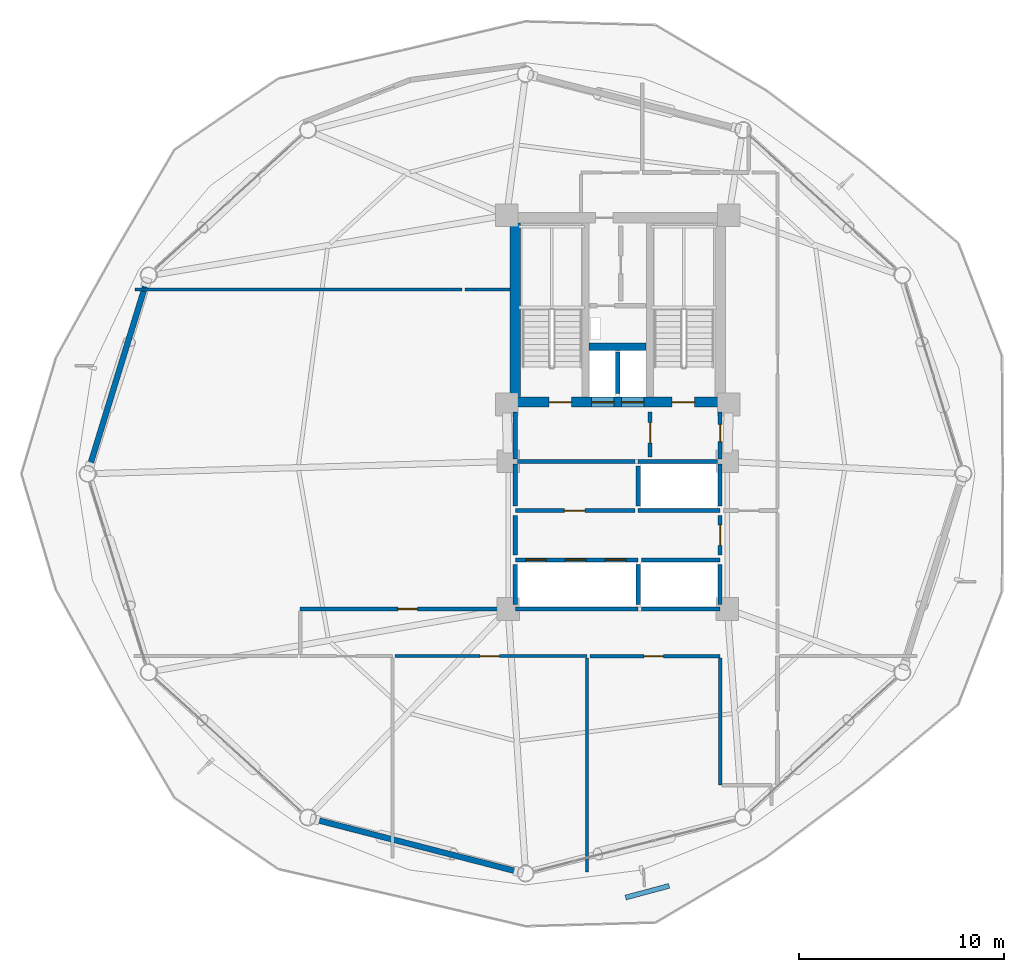
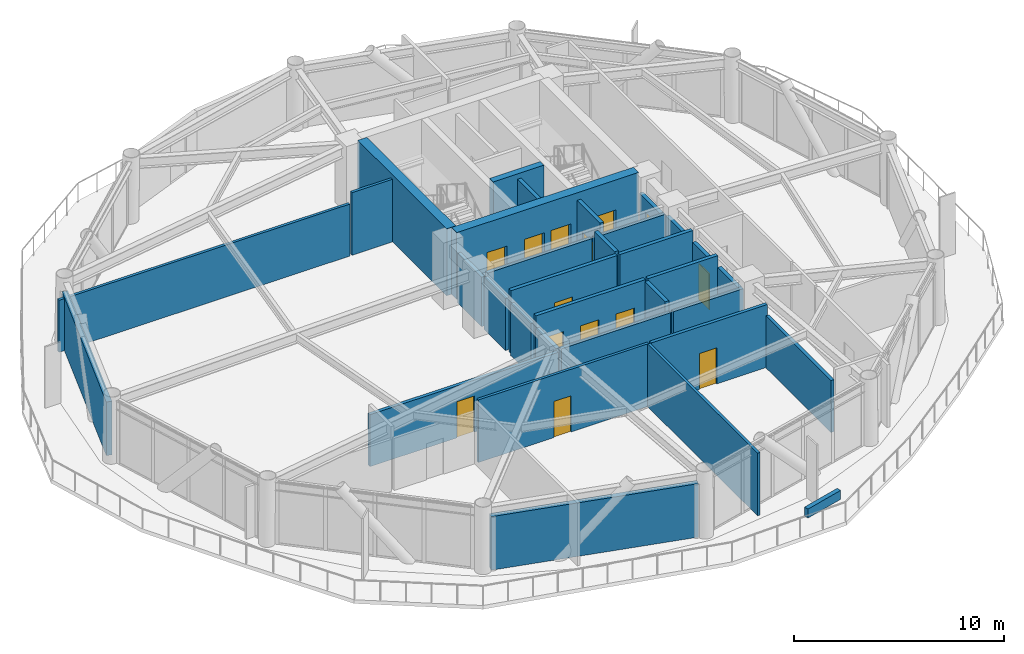
# One storey, part 19 of 23: 33 walls, 14 doors, 14 openings.
"""IFC4 building model written with IfcOpenShell, lengths in metres."""

from ifc_helpers import new_model, si_unit, direction, frame, frame_2d, origin, place, context, subcontext, project, spatial, rectangle, extrude, material, layer, layer_set, type_object, element, fill, save


model = new_model("IFC4")

# Units and contexts
model_context = context("Model", 3, precision=1e-05, world=origin(), true_north=direction((0.0, 1.0)))
body_context = subcontext(model_context, "Body", "Model", "MODEL_VIEW")
ifc_project = project(units=[si_unit("LENGTHUNIT", "METRE"), si_unit("AREAUNIT", "SQUARE_METRE"), si_unit("VOLUMEUNIT", "CUBIC_METRE"), si_unit("PLANEANGLEUNIT", "RADIAN"), si_unit("MASSUNIT", "GRAM", prefix="KILO")], contexts=[model_context])

# Site, building, storey
site_placement = place(None, origin())
site = spatial("IfcSite", under=ifc_project, at=site_placement, CompositionType="ELEMENT")
building_placement = place(site_placement, origin())
building = spatial("IfcBuilding", under=site, at=building_placement, Name="Varnakorn Sky Granary", CompositionType="ELEMENT")
storey_placement = place(building_placement, frame((0.0, 0.0, 114.89990234375)))
storey = spatial("IfcBuildingStorey", under=building, at=storey_placement, Name="L28", CompositionType="ELEMENT", Elevation=114.89990234375)

# Wall
ifc_material_1 = material(Name="Concrete C50/60", Category="concrete")
ifc_layer_1 = layer(ifc_material_1, 0.35009765625, Name="Concrete C50/60")
ifc_layer_set_1 = layer_set([ifc_layer_1], Name="Concrete C50/60")
wall_type_1 = type_object("IfcWallType", Name="WT-CW-INT-350", PredefinedType="SHEAR", material=ifc_layer_set_1)
wall_1_placement = place(storey_placement, frame((1.610107421875, 6.199951171875, 0.0), z_axis=(0.0, 0.0, 1.0), x_axis=(1.0, 0.0, 0.0)))
element("IfcWall", 1, at=wall_1_placement, inside=storey, type_object=wall_type_1, Name="Core Lift Shaft Cross Wall L28", PredefinedType="SHEAR", context=body_context, shape_type="SweptSolid", body=[
    extrude(rectangle(XDim=2.77978515625, YDim=0.35009765625, at=frame_2d((1.389892578125, 0.0))), origin(), (0.0, 0.0, 1.0), 3.89208984375),
])

# Wall, openings, doors
ifc_material_2 = material(Name="Concrete C60/75", Category="concrete")
ifc_layer_2 = layer(ifc_material_2, 0.5, Name="Concrete C60/75")
ifc_layer_set_2 = layer_set([ifc_layer_2], Name="Concrete C60/75")
wall_type_2 = type_object("IfcWallType", Name="WT-CW-SHEAR-500", PredefinedType="SHEAR", material=ifc_layer_set_2)
wall_2_placement = place(storey_placement, frame((-2.0, 3.5, 0.0), z_axis=(0.0, 0.0, 1.0), x_axis=(1.0, 0.0, 0.0)))
wall_2 = element("IfcWall", 2, at=wall_2_placement, inside=storey, type_object=wall_type_2, Name="Core South Shear Wall L28", PredefinedType="SHEAR", context=body_context, shape_type="SweptSolid", body=[
    extrude(rectangle(XDim=10.0, YDim=0.5, at=frame_2d((5.0, 0.0))), origin(), (0.0, 0.0, 1.0), 3.89208984375),
])
opening_1_placement = place(wall_2_placement, frame((1.64990234375, 0.0, 0.0)))
opening_1 = element("IfcOpeningElement", 3, at=opening_1_placement, cuts=wall_2, Name="Opening FD-90", PredefinedType="OPENING", context=body_context, shape_type="SweptSolid", body=[
    extrude(rectangle(XDim=1.10009765625, YDim=2.14990234375, at=frame_2d((0.550048828125, 1.074951171875))), frame((0.0, 0.260009765625, 0.0), z_axis=(0.0, -1.0, 0.0), x_axis=(1.0, 0.0, 0.0)), (0.0, 0.0, 1.0), 0.52001953125),
])
opening_2_placement = place(wall_2_placement, frame((7.64990234375, 0.0, 0.0)))
opening_2 = element("IfcOpeningElement", 4, at=opening_2_placement, cuts=wall_2, Name="Opening FD-90", PredefinedType="OPENING", context=body_context, shape_type="SweptSolid", body=[
    extrude(rectangle(XDim=1.10009765625, YDim=2.14990234375, at=frame_2d((0.550048828125, 1.074951171875))), frame((0.0, 0.260009765625, 0.0), z_axis=(0.0, -1.0, 0.0), x_axis=(1.0, 0.0, 0.0)), (0.0, 0.0, 1.0), 0.52001953125),
])
opening_3_placement = place(wall_2_placement, frame((3.719970703125, 0.0, 0.0)))
opening_3 = element("IfcOpeningElement", 5, at=opening_3_placement, cuts=wall_2, Name="Opening LD-01", PredefinedType="OPENING", context=body_context, shape_type="SweptSolid", body=[
    extrude(rectangle(XDim=1.10009765625, YDim=2.199951171875, at=frame_2d((0.550048828125, 1.10009765625))), frame((0.0, 0.260009765625, 0.0), z_axis=(0.0, -1.0, 0.0), x_axis=(1.0, 0.0, 0.0)), (0.0, 0.0, 1.0), 0.52001953125),
])
opening_4_placement = place(wall_2_placement, frame((5.179931640625, 0.0, 0.0)))
opening_4 = element("IfcOpeningElement", 6, at=opening_4_placement, cuts=wall_2, Name="Opening LD-01", PredefinedType="OPENING", context=body_context, shape_type="SweptSolid", body=[
    extrude(rectangle(XDim=1.10009765625, YDim=2.199951171875, at=frame_2d((0.550048828125, 1.10009765625))), frame((0.0, 0.260009765625, 0.0), z_axis=(0.0, -1.0, 0.0), x_axis=(1.0, 0.0, 0.0)), (0.0, 0.0, 1.0), 0.52001953125),
])
ifc_material_3 = material(Name="Brushed Bronze Stainless Steel", Category="steel")
door_type_1 = type_object("IfcDoorType", Name="DR-LD-1100", OperationType="DOUBLE_DOOR_SLIDING", PredefinedType="DOOR", material=ifc_material_3)
door_1_placement = place(opening_3_placement, origin())
door_1 = element("IfcDoor", 7, at=door_1_placement, inside=storey, type_object=door_type_1, Name="Firefighting Lift FFL-1 Landing Door L28", OperationType="DOUBLE_DOOR_SLIDING", OverallHeight=2.199951171875, OverallWidth=1.10009765625, PredefinedType="DOOR", context=body_context, shape_type="SweptSolid", body=[
    extrude(rectangle(XDim=1.10009765625, YDim=2.199951171875, at=frame_2d((0.550048828125, 1.10009765625))), frame((0.0, 0.02490234375, 0.0), z_axis=(0.0, -1.0, 0.0), x_axis=(1.0, 0.0, 0.0)), (0.0, 0.0, 1.0), 0.050048828125),
])
fill(opening_3, door_1)
door_2_placement = place(opening_4_placement, origin())
door_2 = element("IfcDoor", 8, at=door_2_placement, inside=storey, type_object=door_type_1, Name="Firefighting Lift FFL-2 Landing Door L28", OperationType="DOUBLE_DOOR_SLIDING", OverallHeight=2.199951171875, OverallWidth=1.10009765625, PredefinedType="DOOR", context=body_context, shape_type="SweptSolid", body=[
    extrude(rectangle(XDim=1.10009765625, YDim=2.199951171875, at=frame_2d((0.550048828125, 1.10009765625))), frame((0.0, 0.02490234375, 0.0), z_axis=(0.0, -1.0, 0.0), x_axis=(1.0, 0.0, 0.0)), (0.0, 0.0, 1.0), 0.050048828125),
])
fill(opening_4, door_2)
ifc_material_4 = material(Name="Galvanised Painted Steel Leaf", Category="steel")
door_type_2 = type_object("IfcDoorType", Name="DR-STAIR-1100", OperationType="NOTDEFINED", PredefinedType="DOOR", material=ifc_material_4)
door_3_placement = place(opening_1_placement, origin())
door_3 = element("IfcDoor", 9, at=door_3_placement, inside=storey, type_object=door_type_2, Name="Stair ST-1 Protected Fire Door L28", OperationType="SINGLE_SWING_LEFT", OverallHeight=2.14990234375, OverallWidth=1.10009765625, PredefinedType="DOOR", context=body_context, shape_type="SweptSolid", body=[
    extrude(rectangle(XDim=1.10009765625, YDim=2.14990234375, at=frame_2d((0.550048828125, 1.074951171875))), frame((0.0, 0.02490234375, 0.0), z_axis=(0.0, -1.0, 0.0), x_axis=(1.0, 0.0, 0.0)), (0.0, 0.0, 1.0), 0.050048828125),
])
fill(opening_1, door_3)
door_4_placement = place(opening_2_placement, origin())
door_4 = element("IfcDoor", 10, at=door_4_placement, inside=storey, type_object=door_type_2, Name="Stair ST-2 Protected Fire Door L28", OperationType="SINGLE_SWING_RIGHT", OverallHeight=2.14990234375, OverallWidth=1.10009765625, PredefinedType="DOOR", context=body_context, shape_type="SweptSolid", body=[
    extrude(rectangle(XDim=1.10009765625, YDim=2.14990234375, at=frame_2d((0.550048828125, 1.074951171875))), frame((0.0, 0.02490234375, 0.0), z_axis=(0.0, -1.0, 0.0), x_axis=(1.0, 0.0, 0.0)), (0.0, 0.0, 1.0), 0.050048828125),
])
fill(opening_2, door_4)

# Walls
wall_3_placement = place(storey_placement, frame((-2.0, 3.760009765625, 0.0), z_axis=(0.0, 0.0, 1.0), x_axis=(0.0, 1.0, 0.0)))
element("IfcWall", 11, at=wall_3_placement, inside=storey, type_object=wall_type_2, Name="Core West Shear Wall L28", PredefinedType="SHEAR", context=body_context, shape_type="SweptSolid", body=[
    extrude(rectangle(XDim=8.47998046875, YDim=0.5, at=frame_2d((4.239990234375, 0.0))), origin(), (0.0, 0.0, 1.0), 3.89208984375),
])
ifc_material_5 = material(Name="Precast concrete C40/50", Category="concrete")
ifc_layer_3 = layer(ifc_material_5, 0.280029296875, Name="Precast concrete C40/50")
ifc_layer_set_3 = layer_set([ifc_layer_3], Name="Precast concrete C40/50")
wall_type_3 = type_object("IfcWallType", Name="WT-EW-CRN-280", PredefinedType="SOLIDWALL", material=ifc_layer_set_3)
wall_4_placement = place(storey_placement, frame((-22.776611328125, 0.345458984375, 0.0), z_axis=(0.0, 0.0, 1.0), x_axis=(0.294067629588, 0.955784614455, 0.0)))
element("IfcWall", 12, at=wall_4_placement, inside=storey, type_object=wall_type_3, Name="Agritech Insulated Precast Facade Wall L28-P06", PredefinedType="SOLIDWALL", context=body_context, shape_type="SweptSolid", body=[
    extrude(rectangle(XDim=9.416259765625, YDim=0.280029296875, at=frame_2d((4.7080078125, 0.0))), origin(), (0.0, 0.0, 1.0), 3.110107421875),
])
wall_5_placement = place(storey_placement, frame((-1.85009765625, -19.427001953125, 0.0), z_axis=(0.0, 0.0, 1.0), x_axis=(-0.968494902895, 0.249033377413, 0.0)))
element("IfcWall", 13, at=wall_5_placement, inside=storey, type_object=wall_type_3, Name="Agritech Insulated Precast Facade Wall L28-P09", PredefinedType="SOLIDWALL", context=body_context, shape_type="SweptSolid", body=[
    extrude(rectangle(XDim=10.24658203125, YDim=0.280029296875, at=frame_2d((5.123291015625, 0.0))), origin(), (0.0, 0.0, 1.0), 3.110107421875),
])

# Wall, opening, door
ifc_material_6 = material(Name="Autoclaved Aerated Concrete Blockwork", Category="masonry")
ifc_layer_4 = layer(ifc_material_6, 0.199951171875, Name="Autoclaved Aerated Concrete Blockwork")
ifc_layer_set_4 = layer_set([ifc_layer_4], Name="Autoclaved Aerated Concrete Blockwork")
wall_type_4 = type_object("IfcWallType", Name="WT-FIRE-200", PredefinedType="MOVABLE", material=ifc_layer_set_4)
wall_6_placement = place(storey_placement, frame((4.580078125, 0.830078125, 0.0), z_axis=(0.0, 0.0, 1.0), x_axis=(0.0, 1.0, 0.0)))
wall_6 = element("IfcWall", 14, at=wall_6_placement, inside=storey, type_object=wall_type_4, Name="Interior Partition Wall L28-015", PredefinedType="MOVABLE", context=body_context, shape_type="SweptSolid", body=[
    extrude(rectangle(XDim=2.18994140625, YDim=0.199951171875, at=frame_2d((1.094970703125, 0.0))), origin(), (0.0, 0.0, 1.0), 3.64013671875),
])
opening_5_placement = place(wall_6_placement, frame((0.659912109375, 0.0, 0.0)))
opening_5 = element("IfcOpeningElement", 15, at=opening_5_placement, cuts=wall_6, Name="Opening FD-60", PredefinedType="OPENING", context=body_context, shape_type="SweptSolid", body=[
    extrude(rectangle(XDim=1.0, YDim=2.10009765625, at=frame_2d((0.5, 1.050048828125))), frame((0.0, 0.10986328125, 0.0), z_axis=(0.0, -1.0, 0.0), x_axis=(1.0, 0.0, 0.0)), (0.0, 0.0, 1.0), 0.219970703125),
])
ifc_material_7 = material(Name="Acoustic Timber Fire Leaf", Category="wood")
door_type_3 = type_object("IfcDoorType", Name="DR-FD60-1000", OperationType="NOTDEFINED", PredefinedType="DOOR", material=ifc_material_7)
door_5_placement = place(opening_5_placement, origin())
door_5 = element("IfcDoor", 16, at=door_5_placement, inside=storey, type_object=door_type_3, Name="Interior Door L28-015-1", OperationType="SINGLE_SWING_LEFT", OverallHeight=2.10009765625, OverallWidth=1.0, PredefinedType="DOOR", context=body_context, shape_type="SweptSolid", body=[
    extrude(rectangle(XDim=1.0, YDim=2.10009765625, at=frame_2d((0.5, 1.050048828125))), frame((0.0, 0.02490234375, 0.0), z_axis=(0.0, -1.0, 0.0), x_axis=(1.0, 0.0, 0.0)), (0.0, 0.0, 1.0), 0.050048828125),
])
fill(opening_5, door_5)

wall_7_placement = place(storey_placement, frame((8.0, 0.719970703125, 0.0), z_axis=(0.0, 0.0, 1.0), x_axis=(0.0, 1.0, 0.0)))
wall_7 = element("IfcWall", 17, at=wall_7_placement, inside=storey, type_object=wall_type_4, Name="Interior Partition Wall L28-016", PredefinedType="MOVABLE", context=body_context, shape_type="SweptSolid", body=[
    extrude(rectangle(XDim=2.300048828125, YDim=0.199951171875, at=frame_2d((1.14990234375, 0.0))), origin(), (0.0, 0.0, 1.0), 2.8720703125),
])
opening_6_placement = place(wall_7_placement, frame((0.844970703125, 0.0, 0.0)))
opening_6 = element("IfcOpeningElement", 18, at=opening_6_placement, cuts=wall_7, Name="Opening FD-60N", PredefinedType="OPENING", context=body_context, shape_type="SweptSolid", body=[
    extrude(rectangle(XDim=0.85009765625, YDim=2.10009765625, at=frame_2d((0.425048828125, 1.050048828125))), frame((0.0, 0.10986328125, 0.0), z_axis=(0.0, -1.0, 0.0), x_axis=(1.0, 0.0, 0.0)), (0.0, 0.0, 1.0), 0.219970703125),
])
door_type_4 = type_object("IfcDoorType", Name="DR-FD60-850", OperationType="NOTDEFINED", PredefinedType="DOOR", material=ifc_material_7)
door_6_placement = place(opening_6_placement, origin())
door_6 = element("IfcDoor", 19, at=door_6_placement, inside=storey, type_object=door_type_4, Name="Interior Door L28-016-1", OperationType="SINGLE_SWING_RIGHT", OverallHeight=2.10009765625, OverallWidth=0.85009765625, PredefinedType="DOOR", context=body_context, shape_type="SweptSolid", body=[
    extrude(rectangle(XDim=0.85009765625, YDim=2.10009765625, at=frame_2d((0.425048828125, 1.050048828125))), frame((0.0, 0.02490234375, 0.0), z_axis=(0.0, -1.0, 0.0), x_axis=(1.0, 0.0, 0.0)), (0.0, 0.0, 1.0), 0.050048828125),
])
fill(opening_6, door_6)

wall_8_placement = place(storey_placement, frame((8.0, -3.969970703125, 0.0), z_axis=(0.0, 0.0, 1.0), x_axis=(0.0, 1.0, 0.0)))
wall_8 = element("IfcWall", 20, at=wall_8_placement, inside=storey, type_object=wall_type_4, Name="Interior Partition Wall L28-017", PredefinedType="MOVABLE", context=body_context, shape_type="SweptSolid", body=[
    extrude(rectangle(XDim=1.93994140625, YDim=0.199951171875, at=frame_2d((0.969970703125, 0.0))), origin(), (0.0, 0.0, 1.0), 3.072021484375),
])
opening_7_placement = place(wall_8_placement, frame((0.469970703125, 0.0, 0.0)))
opening_7 = element("IfcOpeningElement", 21, at=opening_7_placement, cuts=wall_8, Name="Opening FD-60", PredefinedType="OPENING", context=body_context, shape_type="SweptSolid", body=[
    extrude(rectangle(XDim=1.0, YDim=2.10009765625, at=frame_2d((0.5, 1.050048828125))), frame((0.0, 0.10986328125, 0.0), z_axis=(0.0, -1.0, 0.0), x_axis=(1.0, 0.0, 0.0)), (0.0, 0.0, 1.0), 0.219970703125),
])
door_7_placement = place(opening_7_placement, origin())
door_7 = element("IfcDoor", 22, at=door_7_placement, inside=storey, type_object=door_type_3, Name="Interior Door L28-017-1", OperationType="SINGLE_SWING_LEFT", OverallHeight=2.10009765625, OverallWidth=1.0, PredefinedType="DOOR", context=body_context, shape_type="SweptSolid", body=[
    extrude(rectangle(XDim=1.0, YDim=2.10009765625, at=frame_2d((0.5, 1.050048828125))), frame((0.0, 0.02490234375, 0.0), z_axis=(0.0, -1.0, 0.0), x_axis=(1.0, 0.0, 0.0)), (0.0, 0.0, 1.0), 0.050048828125),
])
fill(opening_7, door_7)

wall_9_placement = place(storey_placement, frame((-2.0, -1.800048828125, 0.0), z_axis=(0.0, 0.0, 1.0), x_axis=(1.0, 0.0, 0.0)))
wall_9 = element("IfcWall", 23, at=wall_9_placement, inside=storey, type_object=wall_type_4, Name="Interior Partition Wall L28-018", PredefinedType="MOVABLE", context=body_context, shape_type="SweptSolid", body=[
    extrude(rectangle(XDim=5.840087890625, YDim=0.199951171875, at=frame_2d((2.919921875, 0.0))), origin(), (0.0, 0.0, 1.0), 3.64013671875),
])
opening_8_placement = place(wall_9_placement, frame((2.39990234375, 0.0, 0.0)))
opening_8 = element("IfcOpeningElement", 24, at=opening_8_placement, cuts=wall_9, Name="Opening FD-60", PredefinedType="OPENING", context=body_context, shape_type="SweptSolid", body=[
    extrude(rectangle(XDim=1.0, YDim=2.10009765625, at=frame_2d((0.5, 1.050048828125))), frame((0.0, 0.10986328125, 0.0), z_axis=(0.0, -1.0, 0.0), x_axis=(1.0, 0.0, 0.0)), (0.0, 0.0, 1.0), 0.219970703125),
])
door_8_placement = place(opening_8_placement, origin())
door_8 = element("IfcDoor", 25, at=door_8_placement, inside=storey, type_object=door_type_3, Name="Interior Door L28-018-1", OperationType="SINGLE_SWING_RIGHT", OverallHeight=2.10009765625, OverallWidth=1.0, PredefinedType="DOOR", context=body_context, shape_type="SweptSolid", body=[
    extrude(rectangle(XDim=1.0, YDim=2.10009765625, at=frame_2d((0.5, 1.050048828125))), frame((0.0, 0.02490234375, 0.0), z_axis=(0.0, -1.0, 0.0), x_axis=(1.0, 0.0, 0.0)), (0.0, 0.0, 1.0), 0.050048828125),
])
fill(opening_8, door_8)

# Walls
wall_10_placement = place(storey_placement, frame((-1.8798828125, 0.60009765625, 0.0), z_axis=(0.0, 0.0, 1.0), x_axis=(1.0, 0.0, 0.0)))
element("IfcWall", 26, at=wall_10_placement, inside=storey, type_object=wall_type_4, Name="Interior Partition Wall L28-028", PredefinedType="MOVABLE", context=body_context, shape_type="SweptSolid", body=[
    extrude(rectangle(XDim=5.719970703125, YDim=0.199951171875, at=frame_2d((2.85986328125, 0.0))), origin(), (0.0, 0.0, 1.0), 3.172119140625),
])
wall_11_placement = place(storey_placement, frame((-2.0, 0.719970703125, 0.0), z_axis=(0.0, 0.0, 1.0), x_axis=(0.0, 1.0, 0.0)))
element("IfcWall", 27, at=wall_11_placement, inside=storey, type_object=wall_type_4, Name="Interior Partition Wall L28-029", PredefinedType="MOVABLE", context=body_context, shape_type="SweptSolid", body=[
    extrude(rectangle(XDim=2.300048828125, YDim=0.199951171875, at=frame_2d((1.14990234375, 0.0))), origin(), (0.0, 0.0, 1.0), 2.8720703125),
])
wall_12_placement = place(storey_placement, frame((-2.0, -3.969970703125, 0.0), z_axis=(0.0, 0.0, 1.0), x_axis=(0.0, 1.0, 0.0)))
element("IfcWall", 28, at=wall_12_placement, inside=storey, type_object=wall_type_4, Name="Interior Partition Wall L28-030", PredefinedType="MOVABLE", context=body_context, shape_type="SweptSolid", body=[
    extrude(rectangle(XDim=1.93994140625, YDim=0.199951171875, at=frame_2d((0.969970703125, 0.0))), origin(), (0.0, 0.0, 1.0), 3.022216796875),
])
wall_13_placement = place(storey_placement, frame((-2.0, -1.570068359375, 0.0), z_axis=(0.0, 0.0, 1.0), x_axis=(0.0, 1.0, 0.0)))
element("IfcWall", 29, at=wall_13_placement, inside=storey, type_object=wall_type_4, Name="Interior Partition Wall L28-031", PredefinedType="MOVABLE", context=body_context, shape_type="SweptSolid", body=[
    extrude(rectangle(XDim=2.050048828125, YDim=0.199951171875, at=frame_2d((1.02490234375, 0.0))), origin(), (0.0, 0.0, 1.0), 3.022216796875),
])

# Wall, opening, door
ifc_material_8 = material(Name="Gypsum Plasterboard on Steel Stud", Category="steel")
ifc_layer_5 = layer(ifc_material_8, 0.14990234375, Name="Gypsum Plasterboard on Steel Stud")
ifc_layer_set_5 = layer_set([ifc_layer_5], Name="Gypsum Plasterboard on Steel Stud")
wall_type_5 = type_object("IfcWallType", Name="WT-PART-150", PredefinedType="PARTITIONING", material=ifc_layer_set_5)
wall_14_placement = place(storey_placement, frame((-7.864990234375, -8.89990234375, 0.0), z_axis=(0.0, 0.0, 1.0), x_axis=(1.0, 0.0, 0.0)))
wall_14 = element("IfcWall", 30, at=wall_14_placement, inside=storey, type_object=wall_type_5, Name="Interior Partition Wall L28-022", PredefinedType="PARTITIONING", context=body_context, shape_type="SweptSolid", body=[
    extrude(rectangle(XDim=9.364990234375, YDim=0.14990234375, at=frame_2d((4.6826171875, 0.0))), origin(), (0.0, 0.0, 1.0), 3.64013671875),
])
opening_9_placement = place(wall_14_placement, frame((4.139892578125, 0.0, 0.0)))
opening_9 = element("IfcOpeningElement", 31, at=opening_9_placement, cuts=wall_14, Name="Opening ID-95", PredefinedType="OPENING", context=body_context, shape_type="SweptSolid", body=[
    extrude(rectangle(XDim=0.949951171875, YDim=2.10009765625, at=frame_2d((0.47509765625, 1.050048828125))), frame((0.0, 0.0849609375, 0.0), z_axis=(0.0, -1.0, 0.0), x_axis=(1.0, 0.0, 0.0)), (0.0, 0.0, 1.0), 0.169921875),
])
ifc_material_9 = material(Name="Solid-Core Teak Veneer Leaf", Category="timber")
door_type_5 = type_object("IfcDoorType", Name="DR-INT-950", OperationType="NOTDEFINED", PredefinedType="DOOR", material=ifc_material_9)
door_9_placement = place(opening_9_placement, origin())
door_9 = element("IfcDoor", 32, at=door_9_placement, inside=storey, type_object=door_type_5, Name="Interior Door L28-022-1", OperationType="SINGLE_SWING_RIGHT", OverallHeight=2.10009765625, OverallWidth=0.949951171875, PredefinedType="DOOR", context=body_context, shape_type="SweptSolid", body=[
    extrude(rectangle(XDim=0.949951171875, YDim=2.10009765625, at=frame_2d((0.47509765625, 1.050048828125))), frame((0.0, 0.02490234375, 0.0), z_axis=(0.0, -1.0, 0.0), x_axis=(1.0, 0.0, 0.0)), (0.0, 0.0, 1.0), 0.050048828125),
])
fill(opening_9, door_9)

# Walls
wall_15_placement = place(storey_placement, frame((1.5, -8.985107421875, 0.0), z_axis=(0.0, 0.0, 1.0), x_axis=(0.0, -1.0, 0.0)))
element("IfcWall", 33, at=wall_15_placement, inside=storey, type_object=wall_type_5, Name="Interior Partition Wall L28-035", PredefinedType="PARTITIONING", context=body_context, shape_type="SweptSolid", body=[
    extrude(rectangle(XDim=10.456787109375, YDim=0.14990234375, at=frame_2d((5.228515625, 0.0))), origin(), (0.0, 0.0, 1.0), 3.64013671875),
])
wall_16_placement = place(storey_placement, frame((-20.571044921875, 9.0, 0.0), z_axis=(0.0, 0.0, 1.0), x_axis=(1.0, 0.0, 0.0)))
element("IfcWall", 34, at=wall_16_placement, inside=storey, type_object=wall_type_5, Name="Interior Partition Wall L28-041", PredefinedType="PARTITIONING", context=body_context, shape_type="SweptSolid", body=[
    extrude(rectangle(XDim=15.970947265625, YDim=0.14990234375, at=frame_2d((7.9853515625, 0.0))), origin(), (0.0, 0.0, 1.0), 3.022216796875),
])
wall_17_placement = place(storey_placement, frame((-4.465087890625, 9.0, 0.0), z_axis=(0.0, 0.0, 1.0), x_axis=(1.0, 0.0, 0.0)))
element("IfcWall", 35, at=wall_17_placement, inside=storey, type_object=wall_type_5, Name="Interior Partition Wall L28-042", PredefinedType="PARTITIONING", context=body_context, shape_type="SweptSolid", body=[
    extrude(rectangle(XDim=2.205078125, YDim=0.14990234375, at=frame_2d((1.1025390625, 0.0))), origin(), (0.0, 0.0, 1.0), 3.64013671875),
])

# Wall, opening, door
ifc_material_10 = material(Name="Moisture-Resistant Gypsum on Stud", Category="gypsum")
ifc_layer_6 = layer(ifc_material_10, 0.179931640625, Name="Moisture-Resistant Gypsum on Stud")
ifc_layer_set_6 = layer_set([ifc_layer_6], Name="Moisture-Resistant Gypsum on Stud")
wall_type_6 = type_object("IfcWallType", Name="WT-PLUMB-180", PredefinedType="PLUMBINGWALL", material=ifc_layer_set_6)
wall_18_placement = place(storey_placement, frame((1.635009765625, -8.89990234375, 0.0), z_axis=(0.0, 0.0, 1.0), x_axis=(1.0, 0.0, 0.0)))
wall_18 = element("IfcWall", 36, at=wall_18_placement, inside=storey, type_object=wall_type_6, Name="Interior Partition Wall L28-023", PredefinedType="PLUMBINGWALL", context=body_context, shape_type="SweptSolid", body=[
    extrude(rectangle(XDim=6.364990234375, YDim=0.179931640625, at=frame_2d((3.1826171875, 0.0))), origin(), (0.0, 0.0, 1.0), 3.64013671875),
])
opening_10_placement = place(wall_18_placement, frame((2.639892578125, 0.0, 0.0)))
opening_10 = element("IfcOpeningElement", 37, at=opening_10_placement, cuts=wall_18, Name="Opening ID-95", PredefinedType="OPENING", context=body_context, shape_type="SweptSolid", body=[
    extrude(rectangle(XDim=0.949951171875, YDim=2.10009765625, at=frame_2d((0.47509765625, 1.050048828125))), frame((0.0, 0.10009765625, 0.0), z_axis=(0.0, -1.0, 0.0), x_axis=(1.0, 0.0, 0.0)), (0.0, 0.0, 1.0), 0.199951171875),
])
door_10_placement = place(opening_10_placement, origin())
door_10 = element("IfcDoor", 38, at=door_10_placement, inside=storey, type_object=door_type_5, Name="Interior Door L28-023-1", OperationType="SINGLE_SWING_LEFT", OverallHeight=2.10009765625, OverallWidth=0.949951171875, PredefinedType="DOOR", context=body_context, shape_type="SweptSolid", body=[
    extrude(rectangle(XDim=0.949951171875, YDim=2.10009765625, at=frame_2d((0.47509765625, 1.050048828125))), frame((0.0, 0.02490234375, 0.0), z_axis=(0.0, -1.0, 0.0), x_axis=(1.0, 0.0, 0.0)), (0.0, 0.0, 1.0), 0.050048828125),
])
fill(opening_10, door_10)

wall_19_placement = place(storey_placement, frame((-2.159912109375, -6.60009765625, 0.0), z_axis=(0.0, 0.0, 1.0), x_axis=(-1.0, 0.0, 0.0)))
wall_19 = element("IfcWall", 39, at=wall_19_placement, inside=storey, type_object=wall_type_6, Name="Interior Partition Wall L28-025", PredefinedType="PLUMBINGWALL", context=body_context, shape_type="SweptSolid", body=[
    extrude(rectangle(XDim=10.340087890625, YDim=0.179931640625, at=frame_2d((5.169921875, 0.0))), origin(), (0.0, 0.0, 1.0), 3.022216796875),
])
opening_11_placement = place(wall_19_placement, frame((4.614990234375, 0.0, 0.0)))
opening_11 = element("IfcOpeningElement", 40, at=opening_11_placement, cuts=wall_19, Name="Opening ID-95", PredefinedType="OPENING", context=body_context, shape_type="SweptSolid", body=[
    extrude(rectangle(XDim=0.949951171875, YDim=2.10009765625, at=frame_2d((0.47509765625, 1.050048828125))), frame((0.0, 0.10009765625, 0.0), z_axis=(0.0, -1.0, 0.0), x_axis=(1.0, 0.0, 0.0)), (0.0, 0.0, 1.0), 0.199951171875),
])
door_11_placement = place(opening_11_placement, origin())
door_11 = element("IfcDoor", 41, at=door_11_placement, inside=storey, type_object=door_type_5, Name="Interior Door L28-025-1", OperationType="SINGLE_SWING_LEFT", OverallHeight=2.10009765625, OverallWidth=0.949951171875, PredefinedType="DOOR", context=body_context, shape_type="SweptSolid", body=[
    extrude(rectangle(XDim=0.949951171875, YDim=2.10009765625, at=frame_2d((0.47509765625, 1.050048828125))), frame((0.0, 0.02490234375, 0.0), z_axis=(0.0, -1.0, 0.0), x_axis=(1.0, 0.0, 0.0)), (0.0, 0.0, 1.0), 0.050048828125),
])
fill(opening_11, door_11)

# Walls
wall_20_placement = place(storey_placement, frame((8.0, -9.0, 0.0), z_axis=(0.0, 0.0, 1.0), x_axis=(0.0, -1.0, 0.0)))
element("IfcWall", 42, at=wall_20_placement, inside=storey, type_object=wall_type_6, Name="Interior Partition Wall L28-036", PredefinedType="PLUMBINGWALL", context=body_context, shape_type="SweptSolid", body=[
    extrude(rectangle(XDim=6.199951171875, YDim=0.179931640625, at=frame_2d((3.10009765625, 0.0))), origin(), (0.0, 0.0, 1.0), 3.022216796875),
])
ifc_layer_7 = layer(ifc_material_6, 0.199951171875, Name="Autoclaved Aerated Concrete Blockwork")
ifc_layer_set_7 = layer_set([ifc_layer_7], Name="Autoclaved Aerated Concrete Blockwork")
wall_type_7 = type_object("IfcWallType", Name="WT-SHAFT-200", PredefinedType="SOLIDWALL", material=ifc_layer_set_7)
wall_21_placement = place(storey_placement, frame((3.0, 3.919921875, 0.0), z_axis=(0.0, 0.0, 1.0), x_axis=(0.0, 1.0, 0.0)))
element("IfcWall", 43, at=wall_21_placement, inside=storey, type_object=wall_type_7, Name="Interior Partition Wall L28-001", PredefinedType="SOLIDWALL", context=body_context, shape_type="SweptSolid", body=[
    extrude(rectangle(XDim=2.030029296875, YDim=0.199951171875, at=frame_2d((1.01513671875, 0.0))), origin(), (0.0, 0.0, 1.0), 3.64013671875),
])
wall_22_placement = place(storey_placement, frame((4.0, 0.60009765625, 0.0), z_axis=(0.0, 0.0, 1.0), x_axis=(1.0, 0.0, 0.0)))
element("IfcWall", 44, at=wall_22_placement, inside=storey, type_object=wall_type_7, Name="Interior Partition Wall L28-002", PredefinedType="SOLIDWALL", context=body_context, shape_type="SweptSolid", body=[
    extrude(rectangle(XDim=3.8798828125, YDim=0.199951171875, at=frame_2d((1.93994140625, 0.0))), origin(), (0.0, 0.0, 1.0), 3.172119140625),
])
wall_23_placement = place(storey_placement, frame((4.0, -1.800048828125, 0.0), z_axis=(0.0, 0.0, 1.0), x_axis=(1.0, 0.0, 0.0)))
element("IfcWall", 45, at=wall_23_placement, inside=storey, type_object=wall_type_7, Name="Interior Partition Wall L28-003", PredefinedType="SOLIDWALL", context=body_context, shape_type="SweptSolid", body=[
    extrude(rectangle(XDim=4.0, YDim=0.199951171875, at=frame_2d((2.0, 0.0))), origin(), (0.0, 0.0, 1.0), 3.64013671875),
])
wall_24_placement = place(storey_placement, frame((4.0, -1.570068359375, 0.0), z_axis=(0.0, 0.0, 1.0), x_axis=(0.0, 1.0, 0.0)))
element("IfcWall", 46, at=wall_24_placement, inside=storey, type_object=wall_type_7, Name="Interior Partition Wall L28-004", PredefinedType="SOLIDWALL", context=body_context, shape_type="SweptSolid", body=[
    extrude(rectangle(XDim=1.940185546875, YDim=0.199951171875, at=frame_2d((0.97021484375, 0.0))), origin(), (0.0, 0.0, 1.0), 3.64013671875),
])
wall_25_placement = place(storey_placement, frame((8.0, -1.570068359375, 0.0), z_axis=(0.0, 0.0, 1.0), x_axis=(0.0, 1.0, 0.0)))
element("IfcWall", 47, at=wall_25_placement, inside=storey, type_object=wall_type_7, Name="Interior Partition Wall L28-005", PredefinedType="SOLIDWALL", context=body_context, shape_type="SweptSolid", body=[
    extrude(rectangle(XDim=2.050048828125, YDim=0.199951171875, at=frame_2d((1.02490234375, 0.0))), origin(), (0.0, 0.0, 1.0), 3.072021484375),
])

# Wall, openings, doors
wall_26_placement = place(storey_placement, frame((-2.0, -4.199951171875, 0.0), z_axis=(0.0, 0.0, 1.0), x_axis=(1.0, 0.0, 0.0)))
wall_26 = element("IfcWall", 48, at=wall_26_placement, inside=storey, type_object=wall_type_7, Name="Interior Partition Wall L28-006", PredefinedType="SOLIDWALL", context=body_context, shape_type="SweptSolid", body=[
    extrude(rectangle(XDim=6.0, YDim=0.199951171875, at=frame_2d((3.0, 0.0))), origin(), (0.0, 0.0, 1.0), 3.64013671875),
])
opening_12_placement = place(wall_26_placement, frame((0.5, 0.0, 0.0)))
opening_12 = element("IfcOpeningElement", 49, at=opening_12_placement, cuts=wall_26, Name="Opening LD-03", PredefinedType="OPENING", context=body_context, shape_type="SweptSolid", body=[
    extrude(rectangle(XDim=1.0, YDim=2.199951171875, at=frame_2d((0.5, 1.10009765625))), frame((0.0, 0.10986328125, 0.0), z_axis=(0.0, -1.0, 0.0), x_axis=(1.0, 0.0, 0.0)), (0.0, 0.0, 1.0), 0.219970703125),
])
opening_13_placement = place(wall_26_placement, frame((2.449951171875, 0.0, 0.0)))
opening_13 = element("IfcOpeningElement", 50, at=opening_13_placement, cuts=wall_26, Name="Opening LD-03", PredefinedType="OPENING", context=body_context, shape_type="SweptSolid", body=[
    extrude(rectangle(XDim=1.0, YDim=2.199951171875, at=frame_2d((0.5, 1.10009765625))), frame((0.0, 0.10986328125, 0.0), z_axis=(0.0, -1.0, 0.0), x_axis=(1.0, 0.0, 0.0)), (0.0, 0.0, 1.0), 0.219970703125),
])
opening_14_placement = place(wall_26_placement, frame((4.39990234375, 0.0, 0.0)))
opening_14 = element("IfcOpeningElement", 51, at=opening_14_placement, cuts=wall_26, Name="Opening LD-03", PredefinedType="OPENING", context=body_context, shape_type="SweptSolid", body=[
    extrude(rectangle(XDim=1.0, YDim=2.199951171875, at=frame_2d((0.5, 1.10009765625))), frame((0.0, 0.10986328125, 0.0), z_axis=(0.0, -1.0, 0.0), x_axis=(1.0, 0.0, 0.0)), (0.0, 0.0, 1.0), 0.219970703125),
])
door_type_6 = type_object("IfcDoorType", Name="DR-LD-1000", OperationType="DOUBLE_DOOR_SLIDING", PredefinedType="DOOR", material=ifc_material_3)
door_12_placement = place(opening_12_placement, origin())
door_12 = element("IfcDoor", 52, at=door_12_placement, inside=storey, type_object=door_type_6, Name="Passenger Lift PL-M1 Sliding Landing Door L28", OperationType="DOUBLE_DOOR_SLIDING", OverallHeight=2.199951171875, OverallWidth=1.0, PredefinedType="DOOR", context=body_context, shape_type="SweptSolid", body=[
    extrude(rectangle(XDim=1.0, YDim=2.199951171875, at=frame_2d((0.5, 1.10009765625))), frame((0.0, 0.02490234375, 0.0), z_axis=(0.0, -1.0, 0.0), x_axis=(1.0, 0.0, 0.0)), (0.0, 0.0, 1.0), 0.050048828125),
])
fill(opening_12, door_12)
door_13_placement = place(opening_13_placement, origin())
door_13 = element("IfcDoor", 53, at=door_13_placement, inside=storey, type_object=door_type_6, Name="Passenger Lift PL-M2 Sliding Landing Door L28", OperationType="DOUBLE_DOOR_SLIDING", OverallHeight=2.199951171875, OverallWidth=1.0, PredefinedType="DOOR", context=body_context, shape_type="SweptSolid", body=[
    extrude(rectangle(XDim=1.0, YDim=2.199951171875, at=frame_2d((0.5, 1.10009765625))), frame((0.0, 0.02490234375, 0.0), z_axis=(0.0, -1.0, 0.0), x_axis=(1.0, 0.0, 0.0)), (0.0, 0.0, 1.0), 0.050048828125),
])
fill(opening_13, door_13)
door_14_placement = place(opening_14_placement, origin())
door_14 = element("IfcDoor", 54, at=door_14_placement, inside=storey, type_object=door_type_6, Name="Passenger Lift PL-M3 Sliding Landing Door L28", OperationType="DOUBLE_DOOR_SLIDING", OverallHeight=2.199951171875, OverallWidth=1.0, PredefinedType="DOOR", context=body_context, shape_type="SweptSolid", body=[
    extrude(rectangle(XDim=1.0, YDim=2.199951171875, at=frame_2d((0.5, 1.10009765625))), frame((0.0, 0.02490234375, 0.0), z_axis=(0.0, -1.0, 0.0), x_axis=(1.0, 0.0, 0.0)), (0.0, 0.0, 1.0), 0.050048828125),
])
fill(opening_14, door_14)

# Walls
wall_27_placement = place(storey_placement, frame((-2.0, -6.60009765625, 0.0), z_axis=(0.0, 0.0, 1.0), x_axis=(1.0, 0.0, 0.0)))
element("IfcWall", 55, at=wall_27_placement, inside=storey, type_object=wall_type_7, Name="Interior Partition Wall L28-007", PredefinedType="SOLIDWALL", context=body_context, shape_type="SweptSolid", body=[
    extrude(rectangle(XDim=6.0, YDim=0.199951171875, at=frame_2d((3.0, 0.0))), origin(), (0.0, 0.0, 1.0), 3.172119140625),
])
wall_28_placement = place(storey_placement, frame((-2.0, -6.3701171875, 0.0), z_axis=(0.0, 0.0, 1.0), x_axis=(0.0, 1.0, 0.0)))
element("IfcWall", 56, at=wall_28_placement, inside=storey, type_object=wall_type_7, Name="Interior Partition Wall L28-008", PredefinedType="SOLIDWALL", context=body_context, shape_type="SweptSolid", body=[
    extrude(rectangle(XDim=1.940185546875, YDim=0.199951171875, at=frame_2d((0.97021484375, 0.0))), origin(), (0.0, 0.0, 1.0), 3.022216796875),
])
wall_29_placement = place(storey_placement, frame((4.159912109375, -4.199951171875, 0.0), z_axis=(0.0, 0.0, 1.0), x_axis=(1.0, 0.0, 0.0)))
element("IfcWall", 57, at=wall_29_placement, inside=storey, type_object=wall_type_7, Name="Interior Partition Wall L28-009", PredefinedType="SOLIDWALL", context=body_context, shape_type="SweptSolid", body=[
    extrude(rectangle(XDim=3.840087890625, YDim=0.199951171875, at=frame_2d((1.919921875, 0.0))), origin(), (0.0, 0.0, 1.0), 3.64013671875),
])
wall_30_placement = place(storey_placement, frame((4.159912109375, -6.60009765625, 0.0), z_axis=(0.0, 0.0, 1.0), x_axis=(1.0, 0.0, 0.0)))
element("IfcWall", 58, at=wall_30_placement, inside=storey, type_object=wall_type_7, Name="Interior Partition Wall L28-010", PredefinedType="SOLIDWALL", context=body_context, shape_type="SweptSolid", body=[
    extrude(rectangle(XDim=3.840087890625, YDim=0.199951171875, at=frame_2d((1.919921875, 0.0))), origin(), (0.0, 0.0, 1.0), 3.172119140625),
])
wall_31_placement = place(storey_placement, frame((4.0, -6.3701171875, 0.0), z_axis=(0.0, 0.0, 1.0), x_axis=(0.0, 1.0, 0.0)))
element("IfcWall", 59, at=wall_31_placement, inside=storey, type_object=wall_type_7, Name="Interior Partition Wall L28-011", PredefinedType="SOLIDWALL", context=body_context, shape_type="SweptSolid", body=[
    extrude(rectangle(XDim=1.940185546875, YDim=0.199951171875, at=frame_2d((0.97021484375, 0.0))), origin(), (0.0, 0.0, 1.0), 3.64013671875),
])
wall_32_placement = place(storey_placement, frame((8.0, -6.3701171875, 0.0), z_axis=(0.0, 0.0, 1.0), x_axis=(0.0, 1.0, 0.0)))
element("IfcWall", 60, at=wall_32_placement, inside=storey, type_object=wall_type_7, Name="Interior Partition Wall L28-012", PredefinedType="SOLIDWALL", context=body_context, shape_type="SweptSolid", body=[
    extrude(rectangle(XDim=1.940185546875, YDim=0.199951171875, at=frame_2d((0.97021484375, 0.0))), origin(), (0.0, 0.0, 1.0), 3.072021484375),
])
ifc_layer_8 = layer(ifc_material_5, 0.239990234375, Name="Precast concrete C40/50")
ifc_layer_set_8 = layer_set([ifc_layer_8], Name="Precast concrete C40/50")
wall_type_8 = type_object("IfcWallType", Name="WT-WP-PLN-240", PredefinedType="PARAPET", material=ifc_layer_set_8)
wall_33_placement = place(storey_placement, frame((3.385986328125, -20.68212890625, 0.0), z_axis=(0.0, 0.0, 1.0), x_axis=(0.965932200741, 0.258795254151, 0.0)))
element("IfcWall", 61, at=wall_33_placement, inside=storey, type_object=wall_type_8, Name="Sky-Farm Hydroponic Planter Bed PLANTER L28", PredefinedType="PARAPET", context=body_context, shape_type="SweptSolid", body=[
    extrude(rectangle(XDim=2.199951171875, YDim=0.239990234375, at=frame_2d((1.10009765625, 0.0))), origin(), (0.0, 0.0, 1.0), 0.52001953125),
])

save(model, "model.ifc")
